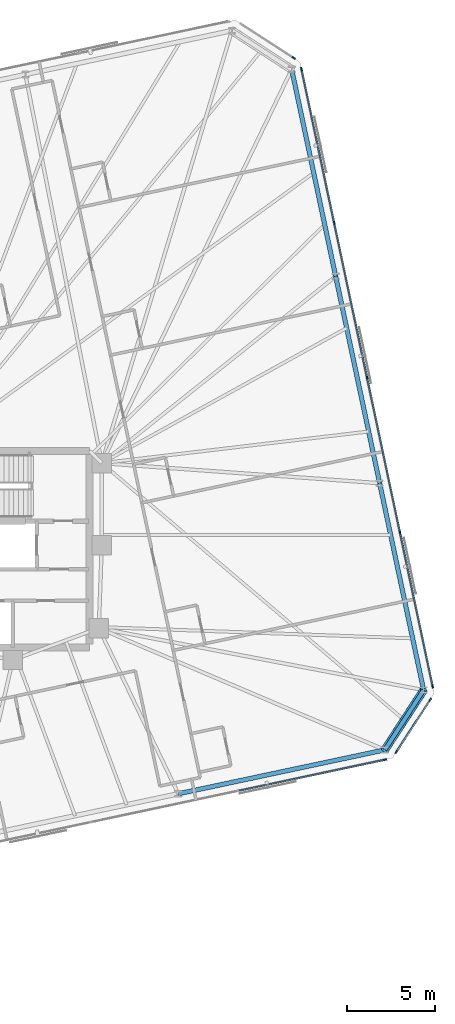
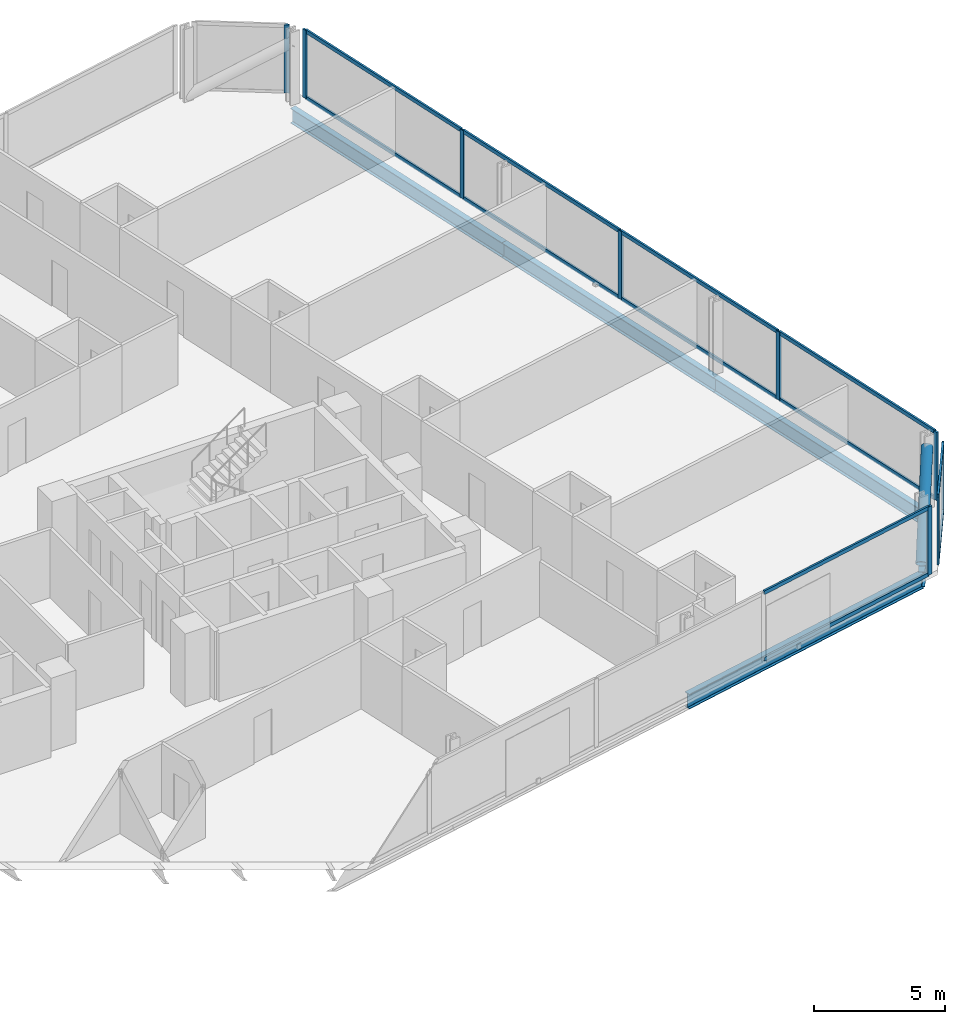
# One storey, part 12 of 20: 22 members, 5 beams, 4 elements without a shape of their own.
"""IFC4 building model written with IfcOpenShell, lengths in metres."""

from ifc_helpers import new_model, si_unit, direction, frame, origin, origin_2d, place, context, subcontext, project, spatial, rectangle, hollow_circle, i_section, extrude, material, material_profile, profile_set, type_object, element, aggregate, save


model = new_model("IFC4")

# Units and contexts
model_context = context("Model", 3, precision=1e-05, world=origin(), true_north=direction((0.0, 1.0)))
body_context = subcontext(model_context, "Body", "Model", "MODEL_VIEW")
ifc_project = project(units=[si_unit("LENGTHUNIT", "METRE"), si_unit("AREAUNIT", "SQUARE_METRE"), si_unit("VOLUMEUNIT", "CUBIC_METRE"), si_unit("PLANEANGLEUNIT", "RADIAN"), si_unit("MASSUNIT", "GRAM", prefix="KILO")], contexts=[model_context])

# Site, building, storey
site_placement = place(None, origin())
site = spatial("IfcSite", under=ifc_project, at=site_placement, CompositionType="ELEMENT")
building_placement = place(site_placement, origin())
building = spatial("IfcBuilding", under=site, at=building_placement, Name="Menara Jurai Vektor", CompositionType="ELEMENT")
storey_placement = place(building_placement, frame((0.0, 0.0, 175.199951171875)))
storey = spatial("IfcBuildingStorey", under=building, at=storey_placement, Name="L45", CompositionType="ELEMENT", Elevation=175.199951171875)

# Curtain wall, member
ifc_material_1 = material(Name="Anodised Pale Aluminium & Low-E Double Glazing", Category="aluminium")
curtain_wall_type = type_object("IfcCurtainWallType", Name="CW-BLK3", PredefinedType="NOTDEFINED", material=ifc_material_1)
curtain_wall_1_placement = place(storey_placement, origin())
curtain_wall_1 = element("IfcCurtainWall", 1, at=curtain_wall_1_placement, inside=storey, type_object=curtain_wall_type, Name="Unitised Curtain Wall L45 F05", PredefinedType="NOTDEFINED")
ifc_material_2 = material(Name="Anodised Pale Aluminium Mullion", Category="aluminium")
ifc_material_profile_1 = material_profile(ifc_material_2, rectangle(XDim=0.0849609375, YDim=0.205078125, at=origin_2d()), Name="ALU MUL 85x205")
ifc_profile_set_1 = profile_set([ifc_material_profile_1], Name="Anodised Pale Aluminium Mullion")
member_type_1 = type_object("IfcMemberType", Name="CW-BLK3-MUL", PredefinedType="MULLION", material=ifc_profile_set_1)
member_1_placement = place(storey_placement, frame((31.392578125, -11.99755859375, 0.0), z_axis=(0.0, 0.0, 1.0), x_axis=(-0.207911344156, 0.978147674419, 0.0)))
member_1 = element("IfcMember", 2, at=member_1_placement, type_object=member_type_1, Name="CW-03 mullion 8", PredefinedType="MULLION", context=body_context, shape_type="SweptSolid", body=[
    extrude(rectangle(XDim=0.0849609375, YDim=0.205078125, at=origin_2d()), origin(), (0.0, 0.0, 1.0), 3.175048828125),
])

# Curtain wall, members
curtain_wall_2_placement = place(storey_placement, origin())
curtain_wall_2 = element("IfcCurtainWall", 3, at=curtain_wall_2_placement, inside=storey, type_object=curtain_wall_type, Name="Unitised Curtain Wall L45 F06", PredefinedType="NOTDEFINED")
member_2_placement = place(storey_placement, frame((32.035888671875, -11.555419921875, 0.0), z_axis=(0.0, 0.0, 1.0), x_axis=(-0.838684361415, 0.544617794346, 0.0)))
member_2 = element("IfcMember", 4, at=member_2_placement, type_object=member_type_1, Name="CW-03 mullion 1", PredefinedType="MULLION", context=body_context, shape_type="SweptSolid", body=[
    extrude(rectangle(XDim=0.0849609375, YDim=0.205078125, at=origin_2d()), origin(), (0.0, 0.0, 1.0), 3.175048828125),
])
member_3_placement = place(storey_placement, frame((33.96337890625, -8.587158203125, 0.0), z_axis=(0.0, 0.0, 1.0), x_axis=(-0.838684361415, 0.544617794346, 0.0)))
member_3 = element("IfcMember", 5, at=member_3_placement, type_object=member_type_1, Name="CW-03 mullion 2", PredefinedType="MULLION", context=body_context, shape_type="SweptSolid", body=[
    extrude(rectangle(XDim=0.0849609375, YDim=0.205078125, at=origin_2d()), origin(), (0.0, 0.0, 1.0), 3.175048828125),
])

curtain_wall_3_placement = place(storey_placement, origin())
curtain_wall_3 = element("IfcCurtainWall", 6, at=curtain_wall_3_placement, inside=storey, type_object=curtain_wall_type, Name="Unitised Curtain Wall L45 F07", PredefinedType="NOTDEFINED")
member_4_placement = place(storey_placement, frame((34.105712890625, -7.819580078125, 0.0), z_axis=(0.0, 0.0, 1.0), x_axis=(-0.978147883949, -0.20791035839, 0.0)))
member_4 = element("IfcMember", 7, at=member_4_placement, type_object=member_type_1, Name="CW-03 mullion 1", PredefinedType="MULLION", context=body_context, shape_type="SweptSolid", body=[
    extrude(rectangle(XDim=0.0849609375, YDim=0.205078125, at=origin_2d()), origin(), (0.0, 0.0, 1.0), 3.175048828125),
])
member_5_placement = place(storey_placement, frame((32.2412109375, 0.951904296875, 0.0), z_axis=(0.0, 0.0, 1.0), x_axis=(-0.978147883949, -0.20791035839, 0.0)))
member_5 = element("IfcMember", 8, at=member_5_placement, type_object=member_type_1, Name="CW-03 mullion 2", PredefinedType="MULLION", context=body_context, shape_type="SweptSolid", body=[
    extrude(rectangle(XDim=0.0849609375, YDim=0.205078125, at=origin_2d()), origin(), (0.0, 0.0, 1.0), 3.175048828125),
])
member_6_placement = place(storey_placement, frame((30.367919921875, 9.76513671875, 0.0), z_axis=(0.0, 0.0, 1.0), x_axis=(-0.978147883949, -0.20791035839, 0.0)))
member_6 = element("IfcMember", 9, at=member_6_placement, type_object=member_type_1, Name="CW-03 mullion 3", PredefinedType="MULLION", context=body_context, shape_type="SweptSolid", body=[
    extrude(rectangle(XDim=0.0849609375, YDim=0.205078125, at=origin_2d()), origin(), (0.0, 0.0, 1.0), 3.175048828125),
])
member_7_placement = place(storey_placement, frame((28.49462890625, 18.578125, 0.0), z_axis=(0.0, 0.0, 1.0), x_axis=(-0.978147883949, -0.20791035839, 0.0)))
member_7 = element("IfcMember", 10, at=member_7_placement, type_object=member_type_1, Name="CW-03 mullion 4", PredefinedType="MULLION", context=body_context, shape_type="SweptSolid", body=[
    extrude(rectangle(XDim=0.0849609375, YDim=0.205078125, at=origin_2d()), origin(), (0.0, 0.0, 1.0), 3.175048828125),
])
member_8_placement = place(storey_placement, frame((26.630126953125, 27.349609375, 0.0), z_axis=(0.0, 0.0, 1.0), x_axis=(-0.978147883949, -0.20791035839, 0.0)))
member_8 = element("IfcMember", 11, at=member_8_placement, type_object=member_type_1, Name="CW-03 mullion 5", PredefinedType="MULLION", context=body_context, shape_type="SweptSolid", body=[
    extrude(rectangle(XDim=0.0849609375, YDim=0.205078125, at=origin_2d()), origin(), (0.0, 0.0, 1.0), 3.175048828125),
])

# Curtain wall, member
curtain_wall_4_placement = place(storey_placement, origin())
curtain_wall_4 = element("IfcCurtainWall", 12, at=curtain_wall_4_placement, inside=storey, type_object=curtain_wall_type, Name="Unitised Curtain Wall L45 F08", PredefinedType="NOTDEFINED")
member_9_placement = place(storey_placement, frame((26.18798828125, 27.9931640625, 0.0), z_axis=(0.0, 0.0, 1.0), x_axis=(-0.544617794346, -0.838684361415, 0.0)))
member_9 = element("IfcMember", 13, at=member_9_placement, type_object=member_type_1, Name="CW-03 mullion 1", PredefinedType="MULLION", context=body_context, shape_type="SweptSolid", body=[
    extrude(rectangle(XDim=0.0849609375, YDim=0.205078125, at=origin_2d()), origin(), (0.0, 0.0, 1.0), 3.175048828125),
])
aggregate(curtain_wall_4, [member_9])

# Member
ifc_material_3 = material(Name="Anodised Pale Aluminium Transom", Category="aluminium")
ifc_material_profile_2 = material_profile(ifc_material_3, rectangle(XDim=0.0849609375, YDim=0.175048828125, at=origin_2d()), Name="ALU TRN 85x175")
ifc_profile_set_2 = profile_set([ifc_material_profile_2], Name="Anodised Pale Aluminium Transom")
member_type_2 = type_object("IfcMemberType", Name="CW-BLK3-TRN", PredefinedType="USERDEFINED", material=ifc_profile_set_2)
member_10_placement = place(storey_placement, frame((23.0859375, -13.76318359375, 0.04248046875), z_axis=(0.978146953428, 0.207914736128, 0.0), x_axis=(-0.207914736128, 0.978146953428, 0.0)))
member_10 = element("IfcMember", 14, at=member_10_placement, type_object=member_type_2, Name="CW-03 transom 7.1", ObjectType="TRANSOM", PredefinedType="USERDEFINED", context=body_context, shape_type="SweptSolid", body=[
    extrude(rectangle(XDim=0.0849609375, YDim=0.175048828125, at=origin_2d()), origin(), (0.0, 0.0, 1.0), 8.44970703125),
])

member_11_placement = place(storey_placement, frame((23.0859375, -13.76318359375, 3.132568359375), z_axis=(0.978146953428, 0.207914736128, 0.0), x_axis=(-0.207914736128, 0.978146953428, 0.0)))
member_11 = element("IfcMember", 15, at=member_11_placement, type_object=member_type_2, Name="CW-03 transom 7.2", ObjectType="TRANSOM", PredefinedType="USERDEFINED", context=body_context, shape_type="SweptSolid", body=[
    extrude(rectangle(XDim=0.0849609375, YDim=0.175048828125, at=origin_2d()), origin(), (0.0, 0.0, 1.0), 8.44970703125),
])

aggregate(curtain_wall_1, [member_1, member_10, member_11])

member_12_placement = place(storey_placement, frame((32.05908203125, -11.519775390625, 0.04248046875), z_axis=(0.54459575764, 0.838698671014, 0.0), x_axis=(-0.838698671014, 0.54459575764, 0.0)))
member_12 = element("IfcMember", 16, at=member_12_placement, type_object=member_type_2, Name="CW-03 transom 1.1", ObjectType="TRANSOM", PredefinedType="USERDEFINED", context=body_context, shape_type="SweptSolid", body=[
    extrude(rectangle(XDim=0.0849609375, YDim=0.175048828125, at=origin_2d()), origin(), (0.0, 0.0, 1.0), 3.4541015625),
])

member_13_placement = place(storey_placement, frame((32.05908203125, -11.519775390625, 3.132568359375), z_axis=(0.54459575764, 0.838698671014, 0.0), x_axis=(-0.838698671014, 0.54459575764, 0.0)))
member_13 = element("IfcMember", 17, at=member_13_placement, type_object=member_type_2, Name="CW-03 transom 1.2", ObjectType="TRANSOM", PredefinedType="USERDEFINED", context=body_context, shape_type="SweptSolid", body=[
    extrude(rectangle(XDim=0.0849609375, YDim=0.175048828125, at=origin_2d()), origin(), (0.0, 0.0, 1.0), 3.4541015625),
])

aggregate(curtain_wall_2, [member_2, member_3, member_12, member_13])

member_14_placement = place(storey_placement, frame((34.096923828125, -7.778076171875, 0.04248046875), z_axis=(-0.207925814542, 0.978144598537, 0.0), x_axis=(-0.978144598537, -0.207925814542, 0.0)))
member_14 = element("IfcMember", 18, at=member_14_placement, type_object=member_type_2, Name="CW-03 transom 1.1", ObjectType="TRANSOM", PredefinedType="USERDEFINED", context=body_context, shape_type="SweptSolid", body=[
    extrude(rectangle(XDim=0.0849609375, YDim=0.175048828125, at=origin_2d()), origin(), (0.0, 0.0, 1.0), 8.882568359375),
])

member_15_placement = place(storey_placement, frame((34.096923828125, -7.778076171875, 3.132568359375), z_axis=(-0.207925814542, 0.978144598537, 0.0), x_axis=(-0.978144598537, -0.207925814542, 0.0)))
member_15 = element("IfcMember", 19, at=member_15_placement, type_object=member_type_2, Name="CW-03 transom 1.2", ObjectType="TRANSOM", PredefinedType="USERDEFINED", context=body_context, shape_type="SweptSolid", body=[
    extrude(rectangle(XDim=0.0849609375, YDim=0.175048828125, at=origin_2d()), origin(), (0.0, 0.0, 1.0), 8.882568359375),
])

member_16_placement = place(storey_placement, frame((32.232421875, 0.993408203125, 0.04248046875), z_axis=(-0.207922224243, 0.978145361726, 0.0), x_axis=(-0.978145361726, -0.207922224243, 0.0)))
member_16 = element("IfcMember", 20, at=member_16_placement, type_object=member_type_2, Name="CW-03 transom 2.1", ObjectType="TRANSOM", PredefinedType="USERDEFINED", context=body_context, shape_type="SweptSolid", body=[
    extrude(rectangle(XDim=0.0849609375, YDim=0.175048828125, at=origin_2d()), origin(), (0.0, 0.0, 1.0), 8.925048828125),
])

member_17_placement = place(storey_placement, frame((32.232421875, 0.993408203125, 3.132568359375), z_axis=(-0.207922224243, 0.978145361726, 0.0), x_axis=(-0.978145361726, -0.207922224243, 0.0)))
member_17 = element("IfcMember", 21, at=member_17_placement, type_object=member_type_2, Name="CW-03 transom 2.2", ObjectType="TRANSOM", PredefinedType="USERDEFINED", context=body_context, shape_type="SweptSolid", body=[
    extrude(rectangle(XDim=0.0849609375, YDim=0.175048828125, at=origin_2d()), origin(), (0.0, 0.0, 1.0), 8.925048828125),
])

member_18_placement = place(storey_placement, frame((30.359130859375, 9.806640625, 0.04248046875), z_axis=(-0.207922224243, 0.978145361726, 0.0), x_axis=(-0.978145361726, -0.207922224243, 0.0)))
member_18 = element("IfcMember", 22, at=member_18_placement, type_object=member_type_2, Name="CW-03 transom 3.1", ObjectType="TRANSOM", PredefinedType="USERDEFINED", context=body_context, shape_type="SweptSolid", body=[
    extrude(rectangle(XDim=0.0849609375, YDim=0.175048828125, at=origin_2d()), origin(), (0.0, 0.0, 1.0), 8.925048828125),
])

member_19_placement = place(storey_placement, frame((30.359130859375, 9.806640625, 3.132568359375), z_axis=(-0.207922224243, 0.978145361726, 0.0), x_axis=(-0.978145361726, -0.207922224243, 0.0)))
member_19 = element("IfcMember", 23, at=member_19_placement, type_object=member_type_2, Name="CW-03 transom 3.2", ObjectType="TRANSOM", PredefinedType="USERDEFINED", context=body_context, shape_type="SweptSolid", body=[
    extrude(rectangle(XDim=0.0849609375, YDim=0.175048828125, at=origin_2d()), origin(), (0.0, 0.0, 1.0), 8.925048828125),
])

member_20_placement = place(storey_placement, frame((28.48583984375, 18.61962890625, 0.04248046875), z_axis=(-0.207899517354, 0.978150188204, 0.0), x_axis=(-0.978150188204, -0.207899517354, 0.0)))
member_20 = element("IfcMember", 24, at=member_20_placement, type_object=member_type_2, Name="CW-03 transom 4.1", ObjectType="TRANSOM", PredefinedType="USERDEFINED", context=body_context, shape_type="SweptSolid", body=[
    extrude(rectangle(XDim=0.0849609375, YDim=0.175048828125, at=origin_2d()), origin(), (0.0, 0.0, 1.0), 8.882568359375),
])

member_21_placement = place(storey_placement, frame((28.48583984375, 18.61962890625, 3.132568359375), z_axis=(-0.207899517354, 0.978150188204, 0.0), x_axis=(-0.978150188204, -0.207899517354, 0.0)))
member_21 = element("IfcMember", 25, at=member_21_placement, type_object=member_type_2, Name="CW-03 transom 4.2", ObjectType="TRANSOM", PredefinedType="USERDEFINED", context=body_context, shape_type="SweptSolid", body=[
    extrude(rectangle(XDim=0.0849609375, YDim=0.175048828125, at=origin_2d()), origin(), (0.0, 0.0, 1.0), 8.882568359375),
])

aggregate(curtain_wall_3, [member_4, member_5, member_6, member_7, member_8, member_14, member_15, member_16, member_17, member_18, member_19, member_20, member_21])

ifc_material_4 = material(Name="Steel S460", Category="steel")
ifc_material_profile_3 = material_profile(ifc_material_4, hollow_circle(Radius=0.228515625, WallThickness=0.01611328125, at=origin_2d()), Name="CHS 457x16")
ifc_profile_set_3 = profile_set([ifc_material_profile_3], Name="Steel S460")
member_type_3 = type_object("IfcMemberType", Name="STR-BR-457", PredefinedType="BRACE", material=ifc_profile_set_3)
member_22_placement = place(storey_placement, frame((31.376220703125, -11.438720703125, 0.150146484375), z_axis=(0.454884431691, 0.700447733372, 0.549957386185), x_axis=(-0.838665998507, 0.544646071268, 0.0)))
element("IfcMember", 26, at=member_22_placement, inside=storey, type_object=member_type_3, Name="Exoskeleton Corner Brace L45-1", PredefinedType="BRACE", context=body_context, shape_type="SweptSolid", body=[
    extrude(hollow_circle(Radius=0.228515625, WallThickness=0.01611328125, at=origin_2d()), origin(), (0.0, 0.0, 1.0), 4.86376953125),
])

# Beams
ifc_material_profile_4 = material_profile(ifc_material_4, i_section(OverallWidth=0.256103515625, OverallDepth=0.693115234375, WebThickness=0.013916015625, FlangeThickness=0.02392578125, FilletRadius=0.014892578125, at=origin_2d()), Name="UKB 686x254x170")
ifc_profile_set_4 = profile_set([ifc_material_profile_4], Name="Steel S460")
beam_type = type_object("IfcBeamType", Name="STR-SP-686", PredefinedType="SPANDREL", material=ifc_profile_set_4)
beam_1_placement = place(storey_placement, frame((19.608154296875, -13.940185546875, -0.571533203125), z_axis=(0.97814616202, 0.207918459318, 0.0), x_axis=(-0.207918459318, 0.97814616202, 0.0)))
element("IfcBeam", 27, at=beam_1_placement, inside=storey, type_object=beam_type, Name="Exoskeleton Spandrel Beam L45-05", PredefinedType="SPANDREL", context=body_context, shape_type="SweptSolid", body=[
    extrude(i_section(OverallWidth=0.256103515625, OverallDepth=0.693115234375, WebThickness=0.013916015625, FlangeThickness=0.02392578125, FilletRadius=0.014892578125, at=origin_2d()), origin(), (0.0, 0.0, 1.0), 12.031005859375),
])
beam_2_placement = place(storey_placement, frame((31.376220703125, -11.438720703125, -0.571533203125), z_axis=(0.544646071268, 0.838665998507, 0.0), x_axis=(-0.838665998507, 0.544646071268, 0.0)))
element("IfcBeam", 28, at=beam_2_placement, inside=storey, type_object=beam_type, Name="Exoskeleton Spandrel Beam L45-06", PredefinedType="SPANDREL", context=body_context, shape_type="SweptSolid", body=[
    extrude(i_section(OverallWidth=0.256103515625, OverallDepth=0.693115234375, WebThickness=0.013916015625, FlangeThickness=0.02392578125, FilletRadius=0.014892578125, at=origin_2d()), origin(), (0.0, 0.0, 1.0), 4.06201171875),
])
beam_3_placement = place(storey_placement, frame((33.588623046875, -8.031982421875, -0.571533203125), z_axis=(-0.207925382659, 0.978144690343, 0.0), x_axis=(-0.978144690343, -0.207925382659, 0.0)))
element("IfcBeam", 29, at=beam_3_placement, inside=storey, type_object=beam_type, Name="Exoskeleton Spandrel Beam L45-07", PredefinedType="SPANDREL", context=body_context, shape_type="SweptSolid", body=[
    extrude(i_section(OverallWidth=0.256103515625, OverallDepth=0.693115234375, WebThickness=0.013916015625, FlangeThickness=0.02392578125, FilletRadius=0.014892578125, at=origin_2d()), origin(), (0.0, 0.0, 1.0), 12.0517578125),
])
for number, where, z_axis, x_axis, name in (
    (30, (31.082763671875, 3.75634765625, -0.571533203125), (-0.207901880993, 0.978149685825, 0.0), (-0.978149685825, -0.207901880993, 0.0), "Exoskeleton Spandrel Beam L45-08"),
    (31, (28.5771484375, 15.544921875, -0.571533203125), (-0.207921262698, 0.978145566119, 0.0), (-0.978145566119, -0.207921262698, 0.0), "Exoskeleton Spandrel Beam L45-09"),
):
    element("IfcBeam", number, at=place(storey_placement, frame(where, z_axis=z_axis, x_axis=x_axis)), inside=storey, type_object=beam_type, Name=name, PredefinedType="SPANDREL", context=body_context, shape_type="SweptSolid", body=[
        extrude(i_section(OverallWidth=0.256103515625, OverallDepth=0.693115234375, WebThickness=0.013916015625, FlangeThickness=0.02392578125, FilletRadius=0.014892578125, at=origin_2d()), origin(), (0.0, 0.0, 1.0), 12.052001953125),
    ])

save(model, "model.ifc")
